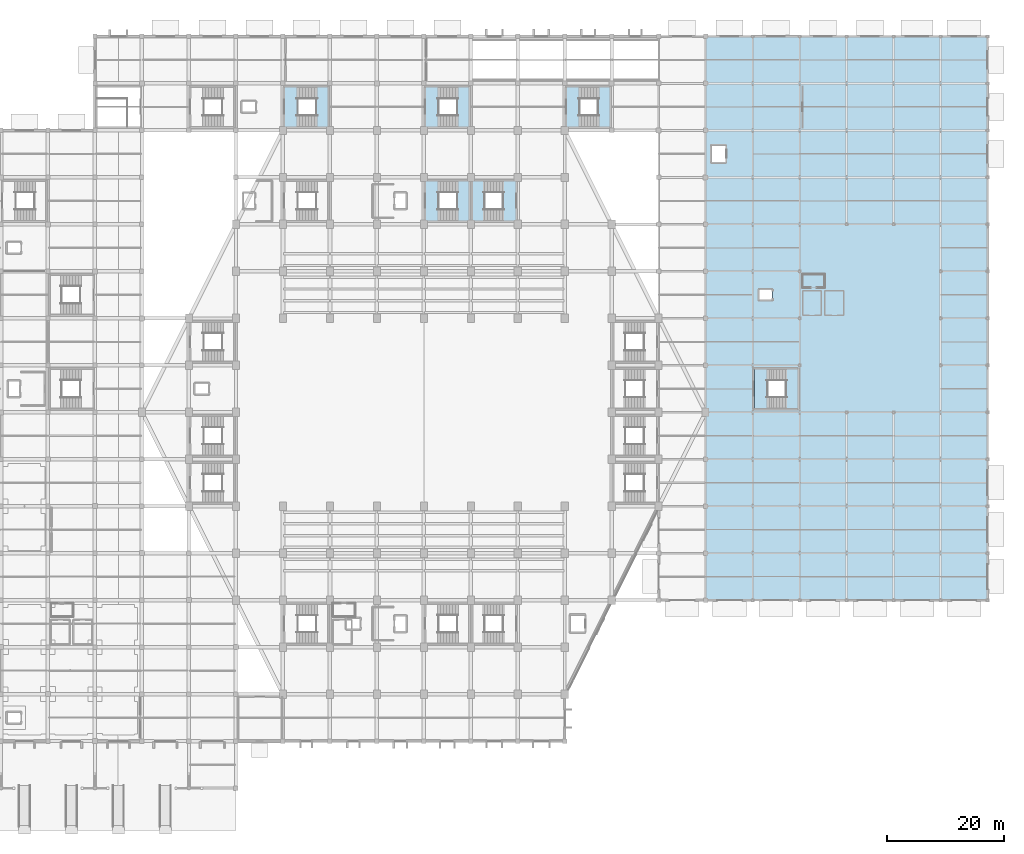
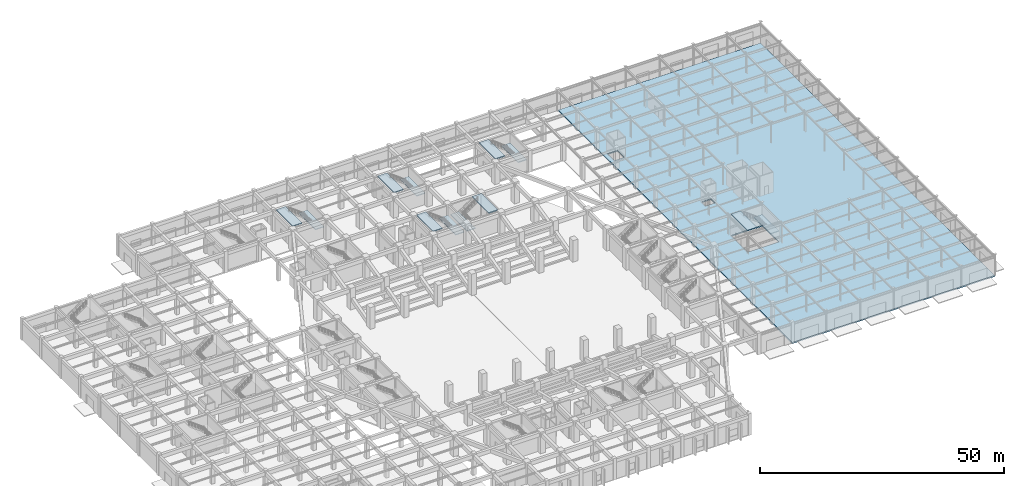
# One storey, part 16 of 39: 13 slabs, 6 elements without a shape of their own.
"""IFC4 building model written with IfcOpenShell, lengths in metres."""

from ifc_helpers import new_model, si_unit, direction, frame, origin, place, context, subcontext, project, spatial, polyline, outline, extrude, material, layer, layer_set, type_object, element, aggregate, save


model = new_model("IFC4")

# Units and contexts
model_context = context("Model", 3, precision=1e-05, world=origin(), true_north=direction((0.0, 1.0)))
body_context = subcontext(model_context, "Body", "Model", "MODEL_VIEW")
ifc_project = project(units=[si_unit("LENGTHUNIT", "METRE"), si_unit("AREAUNIT", "SQUARE_METRE"), si_unit("VOLUMEUNIT", "CUBIC_METRE"), si_unit("PLANEANGLEUNIT", "RADIAN"), si_unit("MASSUNIT", "GRAM", prefix="KILO")], contexts=[model_context])

# Site, building, storey
site_placement = place(None, origin())
site = spatial("IfcSite", under=ifc_project, at=site_placement, CompositionType="ELEMENT")
building_placement = place(site_placement, origin())
building = spatial("IfcBuilding", under=site, at=building_placement, Name="Tazarka Park Arena", CompositionType="ELEMENT")
storey_placement = place(building_placement, origin())
storey = spatial("IfcBuildingStorey", under=building, at=storey_placement, Name="L00", CompositionType="ELEMENT", Elevation=0.0)

# Stair, slabs
ifc_material_1 = material(Name="Precast concrete C40/50", Category="concrete")
stair_type = type_object("IfcStairType", Name="STR-2400", PredefinedType="HALF_TURN_STAIR", material=ifc_material_1)
stair_1_placement = place(storey_placement, origin())
stair_1 = element("IfcStair", 1, at=stair_1_placement, inside=storey, type_object=stair_type, Name="Stair ST06 L00", PredefinedType="HALF_TURN_STAIR")
ifc_material_2 = material(Name="Precast concrete C40/50", Category="concrete")
ifc_layer_1 = layer(ifc_material_2, 0.219970703125, Name="Precast concrete C40/50")
ifc_layer_set_1 = layer_set([ifc_layer_1], Name="Precast concrete C40/50")
slab_type_1 = type_object("IfcSlabType", Name="LND-02", PredefinedType="LANDING", material=ifc_layer_set_1)
slab_1_placement = place(storey_placement, frame((0.0, 0.0, 2.47998046875)))
slab_1 = element("IfcSlab", 2, at=slab_1_placement, type_object=slab_type_1, Name="ST06-L00 landing 1", PredefinedType="LANDING", context=body_context, shape_type="SweptSolid", body=[
    extrude(outline(polyline([(69.6650390625, 112.610107421875), (71.68994140625, 112.610107421875), (71.68994140625, 119.389892578125), (69.6650390625, 119.389892578125), (69.6650390625, 112.610107421875)])), origin(), (0.0, 0.0, 1.0), 0.219970703125),
])
slab_2_placement = place(storey_placement, frame((0.0, 0.0, 5.179931640625)))
slab_2 = element("IfcSlab", 3, at=slab_2_placement, type_object=slab_type_1, Name="ST06-L00 landing 2", PredefinedType="LANDING", context=body_context, shape_type="SweptSolid", body=[
    extrude(outline(polyline([(64.31005859375, 112.610107421875), (66.534912109375, 112.610107421875), (66.534912109375, 119.389892578125), (64.31005859375, 119.389892578125), (64.31005859375, 112.610107421875)])), origin(), (0.0, 0.0, 1.0), 0.219970703125),
])
aggregate(stair_1, [slab_1, slab_2])

stair_2_placement = place(storey_placement, origin())
stair_2 = element("IfcStair", 4, at=stair_2_placement, inside=storey, type_object=stair_type, Name="Stair ST07 L00", PredefinedType="HALF_TURN_STAIR")
slab_3_placement = place(storey_placement, frame((0.0, 0.0, 2.47998046875)))
slab_3 = element("IfcSlab", 5, at=slab_3_placement, type_object=slab_type_1, Name="ST07-L00 landing 1", PredefinedType="LANDING", context=body_context, shape_type="SweptSolid", body=[
    extrude(outline(polyline([(93.6650390625, 112.610107421875), (95.68994140625, 112.610107421875), (95.68994140625, 119.389892578125), (93.6650390625, 119.389892578125), (93.6650390625, 112.610107421875)])), origin(), (0.0, 0.0, 1.0), 0.219970703125),
])
slab_4_placement = place(storey_placement, frame((0.0, 0.0, 5.179931640625)))
slab_4 = element("IfcSlab", 6, at=slab_4_placement, type_object=slab_type_1, Name="ST07-L00 landing 2", PredefinedType="LANDING", context=body_context, shape_type="SweptSolid", body=[
    extrude(outline(polyline([(88.31005859375, 112.610107421875), (90.534912109375, 112.610107421875), (90.534912109375, 119.389892578125), (88.31005859375, 119.389892578125), (88.31005859375, 112.610107421875)])), origin(), (0.0, 0.0, 1.0), 0.219970703125),
])
aggregate(stair_2, [slab_3, slab_4])

stair_3_placement = place(storey_placement, origin())
stair_3 = element("IfcStair", 7, at=stair_3_placement, inside=storey, type_object=stair_type, Name="Stair ST08 L00", PredefinedType="HALF_TURN_STAIR")
slab_5_placement = place(storey_placement, frame((0.0, 0.0, 2.47998046875)))
slab_5 = element("IfcSlab", 8, at=slab_5_placement, type_object=slab_type_1, Name="ST08-L00 landing 1", PredefinedType="LANDING", context=body_context, shape_type="SweptSolid", body=[
    extrude(outline(polyline([(117.6650390625, 112.610107421875), (119.68994140625, 112.610107421875), (119.68994140625, 119.389892578125), (117.6650390625, 119.389892578125), (117.6650390625, 112.610107421875)])), origin(), (0.0, 0.0, 1.0), 0.219970703125),
])
slab_6_placement = place(storey_placement, frame((0.0, 0.0, 5.179931640625)))
slab_6 = element("IfcSlab", 9, at=slab_6_placement, type_object=slab_type_1, Name="ST08-L00 landing 2", PredefinedType="LANDING", context=body_context, shape_type="SweptSolid", body=[
    extrude(outline(polyline([(112.31005859375, 112.610107421875), (114.534912109375, 112.610107421875), (114.534912109375, 119.389892578125), (112.31005859375, 119.389892578125), (112.31005859375, 112.610107421875)])), origin(), (0.0, 0.0, 1.0), 0.219970703125),
])
aggregate(stair_3, [slab_5, slab_6])

stair_4_placement = place(storey_placement, origin())
stair_4 = element("IfcStair", 10, at=stair_4_placement, inside=storey, type_object=stair_type, Name="Stair ST10 L00", PredefinedType="HALF_TURN_STAIR")
slab_7_placement = place(storey_placement, frame((0.0, 0.0, 2.47998046875)))
slab_7 = element("IfcSlab", 11, at=slab_7_placement, type_object=slab_type_1, Name="ST10-L00 landing 1", PredefinedType="LANDING", context=body_context, shape_type="SweptSolid", body=[
    extrude(outline(polyline([(96.31005859375, 96.610107421875), (98.3349609375, 96.610107421875), (98.3349609375, 103.389892578125), (96.31005859375, 103.389892578125), (96.31005859375, 96.610107421875)])), origin(), (0.0, 0.0, 1.0), 0.219970703125),
])
slab_8_placement = place(storey_placement, frame((0.0, 0.0, 5.179931640625)))
slab_8 = element("IfcSlab", 12, at=slab_8_placement, type_object=slab_type_1, Name="ST10-L00 landing 2", PredefinedType="LANDING", context=body_context, shape_type="SweptSolid", body=[
    extrude(outline(polyline([(101.465087890625, 96.610107421875), (103.68994140625, 96.610107421875), (103.68994140625, 103.389892578125), (101.465087890625, 103.389892578125), (101.465087890625, 96.610107421875)])), origin(), (0.0, 0.0, 1.0), 0.219970703125),
])
aggregate(stair_4, [slab_7, slab_8])

stair_5_placement = place(storey_placement, origin())
stair_5 = element("IfcStair", 13, at=stair_5_placement, inside=storey, type_object=stair_type, Name="Stair ST15 L00", PredefinedType="HALF_TURN_STAIR")
slab_9_placement = place(storey_placement, frame((0.0, 0.0, 2.47998046875)))
slab_9 = element("IfcSlab", 14, at=slab_9_placement, type_object=slab_type_1, Name="ST15-L00 landing 1", PredefinedType="LANDING", context=body_context, shape_type="SweptSolid", body=[
    extrude(outline(polyline([(93.6650390625, 96.610107421875), (95.68994140625, 96.610107421875), (95.68994140625, 103.389892578125), (93.6650390625, 103.389892578125), (93.6650390625, 96.610107421875)])), origin(), (0.0, 0.0, 1.0), 0.219970703125),
])
slab_10_placement = place(storey_placement, frame((0.0, 0.0, 5.179931640625)))
slab_10 = element("IfcSlab", 15, at=slab_10_placement, type_object=slab_type_1, Name="ST15-L00 landing 2", PredefinedType="LANDING", context=body_context, shape_type="SweptSolid", body=[
    extrude(outline(polyline([(88.31005859375, 96.610107421875), (90.534912109375, 96.610107421875), (90.534912109375, 103.389892578125), (88.31005859375, 103.389892578125), (88.31005859375, 96.610107421875)])), origin(), (0.0, 0.0, 1.0), 0.219970703125),
])
aggregate(stair_5, [slab_9, slab_10])

stair_6_placement = place(storey_placement, origin())
stair_6 = element("IfcStair", 16, at=stair_6_placement, inside=storey, type_object=stair_type, Name="Stair ST18 L00", PredefinedType="HALF_TURN_STAIR")
slab_11_placement = place(storey_placement, frame((0.0, 0.0, 2.47998046875)))
slab_11 = element("IfcSlab", 17, at=slab_11_placement, type_object=slab_type_1, Name="ST18-L00 landing 1", PredefinedType="LANDING", context=body_context, shape_type="SweptSolid", body=[
    extrude(outline(polyline([(149.6650390625, 64.610107421875), (151.68994140625, 64.610107421875), (151.68994140625, 71.389892578125), (149.6650390625, 71.389892578125), (149.6650390625, 64.610107421875)])), origin(), (0.0, 0.0, 1.0), 0.219970703125),
])
slab_12_placement = place(storey_placement, frame((0.0, 0.0, 5.179931640625)))
slab_12 = element("IfcSlab", 18, at=slab_12_placement, type_object=slab_type_1, Name="ST18-L00 landing 2", PredefinedType="LANDING", context=body_context, shape_type="SweptSolid", body=[
    extrude(outline(polyline([(144.31005859375, 64.610107421875), (146.534912109375, 64.610107421875), (146.534912109375, 71.389892578125), (144.31005859375, 71.389892578125), (144.31005859375, 64.610107421875)])), origin(), (0.0, 0.0, 1.0), 0.219970703125),
])
aggregate(stair_6, [slab_11, slab_12])

# Slab
ifc_material_3 = material(Name="Concrete C35/45", Category="concrete")
ifc_layer_2 = layer(ifc_material_3, 0.320068359375, Name="Concrete C35/45")
ifc_layer_set_2 = layer_set([ifc_layer_2], Name="Concrete C35/45")
slab_type_2 = type_object("IfcSlabType", Name="SLB-SL-03", PredefinedType="FLOOR", material=ifc_layer_set_2)
slab_13_placement = place(storey_placement, frame((0.0, 0.0, -0.320068359375)))
element("IfcSlab", 19, at=slab_13_placement, inside=storey, type_object=slab_type_2, Name="FLR-L00-E-01", PredefinedType="FLOOR", context=body_context, shape_type="SweptSolid", body=[
    extrude(outline(polyline([(183.969970703125, 128.0), (184.0, 127.969970703125), (183.99658203125, 32.015869140625), (136.035888671875, 32.00341796875), (136.0234375, 127.984130859375), (183.969970703125, 128.0)]), holes=[polyline([(144.300048828125, 64.60009765625), (151.699951171875, 64.60009765625), (151.699951171875, 71.39990234375), (144.300048828125, 71.39990234375), (144.300048828125, 64.60009765625)]), polyline([(145.110107421875, 83.159912109375), (147.2900390625, 83.159912109375), (147.2900390625, 84.840087890625), (145.110107421875, 84.840087890625), (145.110107421875, 83.159912109375)]), polyline([(137.010009765625, 106.610107421875), (139.389892578125, 106.610107421875), (139.389892578125, 109.389892578125), (137.010009765625, 109.389892578125), (137.010009765625, 106.610107421875)])]), origin(), (0.0, 0.0, 1.0), 0.320068359375),
])

save(model, "model.ifc")
